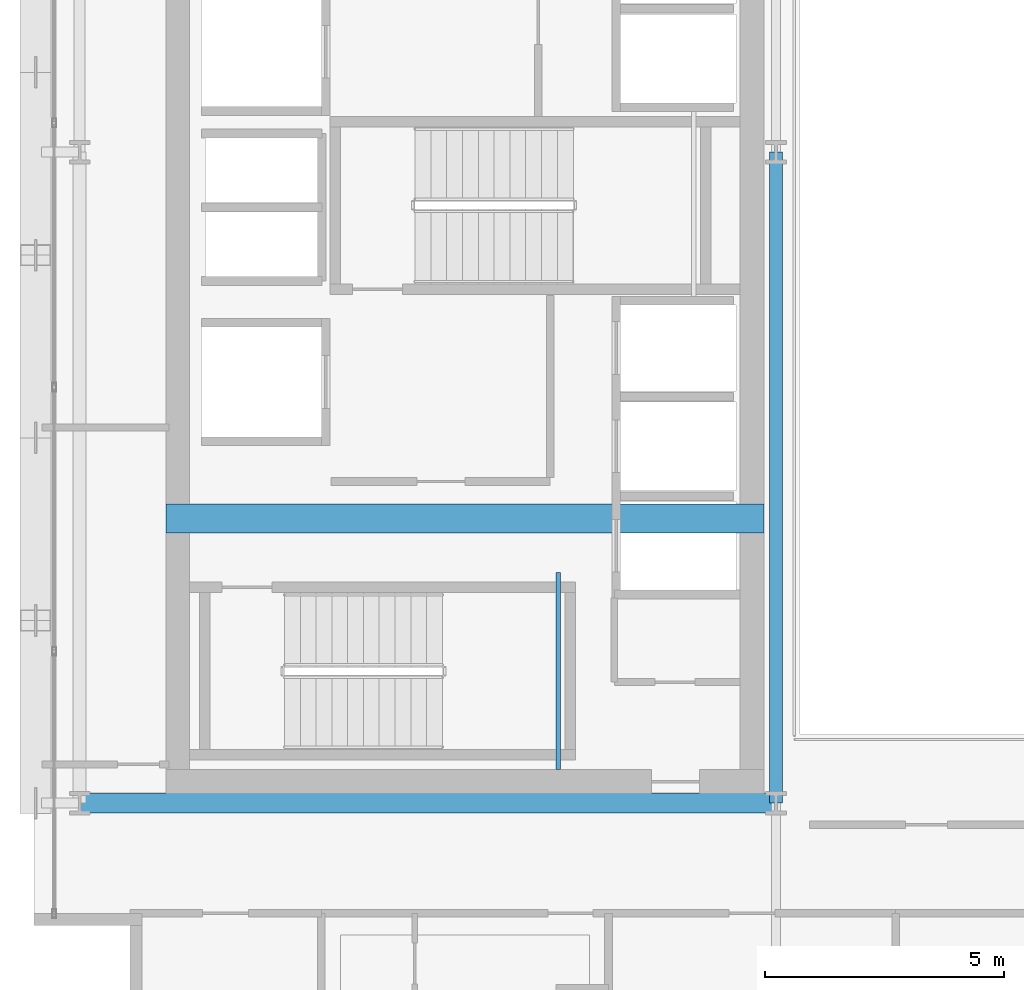
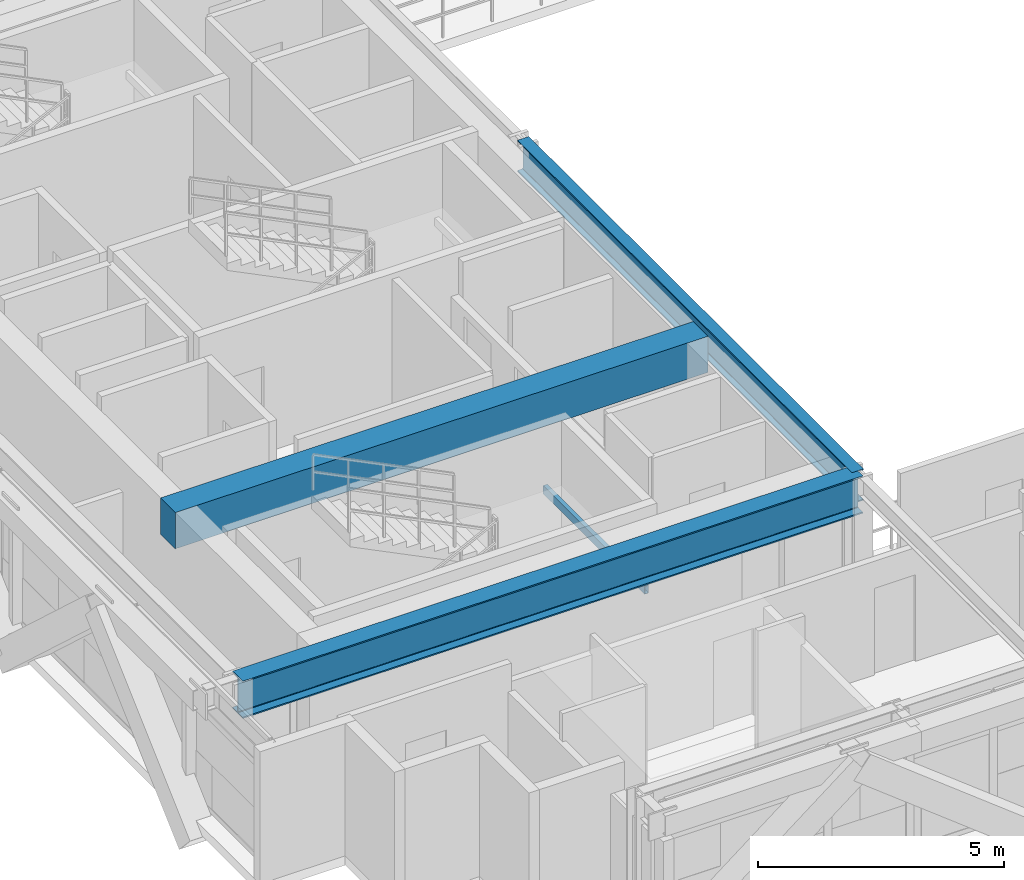
# One storey, part 5 of 32: 4 beams.
"""IFC4 building model written with IfcOpenShell, lengths in metres."""

from ifc_helpers import new_model, si_unit, direction, frame, origin, origin_2d, place, context, subcontext, project, spatial, rectangle, hollow_rectangle, i_section, extrude, source, transform, mapped, material, material_profile, profile_set, type_object, element, save


model = new_model("IFC4")

# Units and contexts
model_context = context("Model", 3, precision=1e-05, world=origin(), true_north=direction((0.0, 1.0)))
body_context = subcontext(model_context, "Body", "Model", "MODEL_VIEW")
ifc_project = project(units=[si_unit("LENGTHUNIT", "METRE"), si_unit("AREAUNIT", "SQUARE_METRE"), si_unit("VOLUMEUNIT", "CUBIC_METRE"), si_unit("PLANEANGLEUNIT", "RADIAN"), si_unit("MASSUNIT", "GRAM", prefix="KILO")], contexts=[model_context])

# Site, building, storey
site_placement = place(None, origin())
site = spatial("IfcSite", under=ifc_project, at=site_placement, CompositionType="ELEMENT")
building_placement = place(site_placement, origin())
building = spatial("IfcBuilding", under=site, at=building_placement, Name="Ocotamira Hotel", CompositionType="ELEMENT")
storey_placement = place(building_placement, frame((0.0, 0.0, 217.199951171875)))
storey = spatial("IfcBuildingStorey", under=building, at=storey_placement, Name="L55", CompositionType="ELEMENT", Elevation=217.199951171875)

# Beams
ifc_material_1 = material(Name="Concrete C50/60", Category="concrete")
ifc_material_profile_1 = material_profile(ifc_material_1, rectangle(XDim=0.60009765625, YDim=0.89990234375, at=origin_2d()), Name="RC600X900")
ifc_profile_set_1 = profile_set([ifc_material_profile_1], Name="Concrete C50/60")
beam_type_1 = type_object("IfcBeamType", Name="BM-LINK-RC600", PredefinedType="LINTEL", material=ifc_profile_set_1)
shared_shape_1 = source(origin(), body_context, "Body", "SweptSolid", [
    extrude(rectangle(XDim=0.60009765625, YDim=0.89990234375, at=origin_2d()), origin(), (0.0, 0.0, 1.0), 12.5),
])
beam_1_placement = place(storey_placement, frame((10.75, 20.5, 2.830078125), z_axis=(1.0, 0.0, 0.0), x_axis=(0.0, 1.0, 0.0)))
element("IfcBeam", 1, at=beam_1_placement, inside=storey, type_object=beam_type_1, Name="L55 West Core Coupling Beam", PredefinedType="LINTEL", context=body_context, shape_type="MappedRepresentation", body=[
    mapped(shared_shape_1, transform((0.0, 0.0, 0.0), scale=1.0)),
])
ifc_material_2 = material(Name="Steel ASTM A500 Grade C", Category="steel")
ifc_material_profile_2 = material_profile(ifc_material_2, hollow_rectangle(XDim=0.10009765625, YDim=0.199951171875, WallThickness=0.008056640625, at=origin_2d()), Name="HSS200X100X8")
ifc_profile_set_2 = profile_set([ifc_material_profile_2], Name="Steel ASTM A500 Grade C")
beam_type_2 = type_object("IfcBeamType", Name="BM-STLDG-HSS200", PredefinedType="BEAM", material=ifc_profile_set_2)
shared_shape_2 = source(origin(), body_context, "Body", "SweptSolid", [
    extrude(hollow_rectangle(XDim=0.10009765625, YDim=0.199951171875, WallThickness=0.008056640625, at=origin_2d()), origin(), (0.0, 0.0, 1.0), 4.1201171875),
])
beam_2_placement = place(storey_placement, frame((18.949951171875, 15.25, 1.5), z_axis=(0.0, 1.0, 0.0), x_axis=(-1.0, 0.0, 0.0)))
element("IfcBeam", 2, at=beam_2_placement, inside=storey, type_object=beam_type_2, Name="L55 Stair ST-1 Landing Bearer 1", PredefinedType="BEAM", context=body_context, shape_type="MappedRepresentation", body=[
    mapped(shared_shape_2, transform((0.0, 0.0, 0.0), scale=1.0)),
])
ifc_material_3 = material(Name="Steel ASTM A992 Grade 50", Category="steel")
ifc_material_profile_3 = material_profile(ifc_material_3, i_section(OverallWidth=0.41796875, OverallDepth=0.927001953125, WebThickness=0.019287109375, FlangeThickness=0.031982421875, FilletRadius=0.02392578125, at=origin_2d()), Name="W36X231")
ifc_profile_set_3 = profile_set([ifc_material_profile_3], Name="Steel ASTM A992 Grade 50")
beam_type_3 = type_object("IfcBeamType", Name="BM-GIRD-W36X231", PredefinedType="BEAM", material=ifc_profile_set_3)
shared_shape_3 = source(origin(), body_context, "Body", "SweptSolid", [
    extrude(i_section(OverallWidth=0.41796875, OverallDepth=0.927001953125, WebThickness=0.019287109375, FlangeThickness=0.031982421875, FilletRadius=0.02392578125, at=origin_2d()), origin(), (0.0, 0.0, 1.0), 14.550048828125),
])
beam_3_placement = place(storey_placement, frame((8.949951171875, 14.550048828125, 2.816650390625), z_axis=(1.0, 0.0, 0.0), x_axis=(0.0, 1.0, 0.0)))
element("IfcBeam", 3, at=beam_3_placement, inside=storey, type_object=beam_type_3, Name="L55 Girder Y14.55 X8.95-23.5", PredefinedType="BEAM", context=body_context, shape_type="MappedRepresentation", body=[
    mapped(shared_shape_3, transform((0.0, 0.0, 0.0), scale=1.0)),
])
ifc_material_profile_4 = material_profile(ifc_material_3, i_section(OverallWidth=0.26611328125, OverallDepth=0.779052734375, WebThickness=0.0166015625, FlangeThickness=0.030029296875, FilletRadius=0.01806640625, at=origin_2d()), Name="W30X148")
ifc_profile_set_4 = profile_set([ifc_material_profile_4], Name="Steel ASTM A992 Grade 50")
beam_type_4 = type_object("IfcBeamType", Name="BM-GIRD-W30X148", PredefinedType="BEAM", material=ifc_profile_set_4)
shared_shape_4 = source(origin(), body_context, "Body", "SweptSolid", [
    extrude(i_section(OverallWidth=0.26611328125, OverallDepth=0.779052734375, WebThickness=0.0166015625, FlangeThickness=0.030029296875, FilletRadius=0.01806640625, at=origin_2d()), origin(), (0.0, 0.0, 1.0), 13.599853515625),
])
beam_4_placement = place(storey_placement, frame((23.5, 14.550048828125, 2.890625), z_axis=(0.0, 1.0, 0.0), x_axis=(-1.0, 0.0, 0.0)))
element("IfcBeam", 4, at=beam_4_placement, inside=storey, type_object=beam_type_4, Name="L55 Beam X23.5 Y14.55-28.15", PredefinedType="BEAM", context=body_context, shape_type="MappedRepresentation", body=[
    mapped(shared_shape_4, transform((0.0, 0.0, 0.0), scale=1.0)),
])

save(model, "model.ifc")
